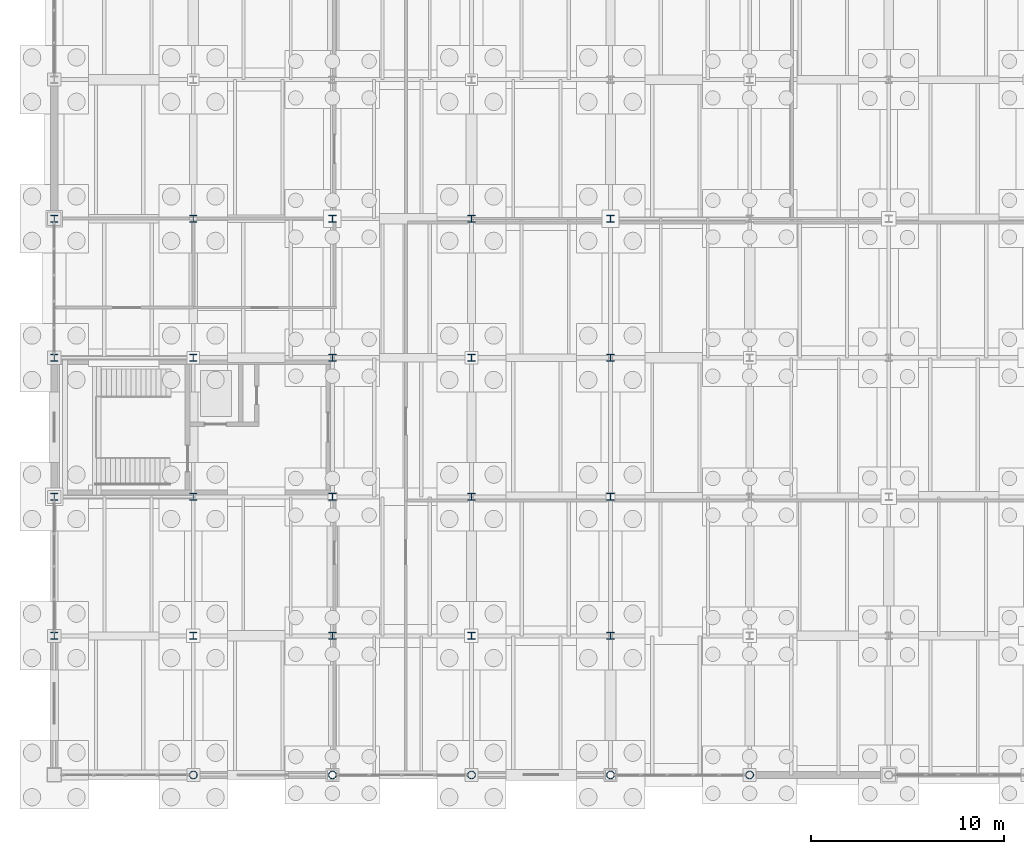
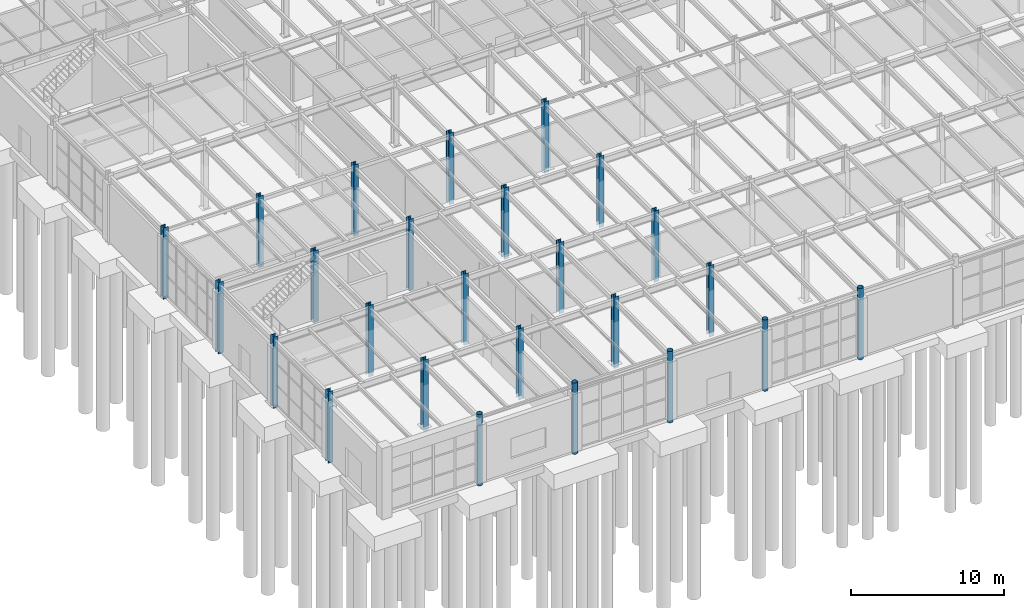
# One storey, part 15 of 293: 25 columns.
"""IFC4 building model written with IfcOpenShell, lengths in metres."""

from ifc_helpers import new_model, si_unit, direction, frame, origin, origin_2d, place, context, subcontext, project, spatial, hollow_circle, i_section, extrude, material, material_profile, profile_set, type_object, element, save


model = new_model("IFC4")

# Units and contexts
model_context = context("Model", 3, precision=1e-05, world=origin(), true_north=direction((0.0, 1.0)))
body_context = subcontext(model_context, "Body", "Model", "MODEL_VIEW")
ifc_project = project(units=[si_unit("LENGTHUNIT", "METRE"), si_unit("AREAUNIT", "SQUARE_METRE"), si_unit("VOLUMEUNIT", "CUBIC_METRE"), si_unit("PLANEANGLEUNIT", "RADIAN"), si_unit("MASSUNIT", "GRAM", prefix="KILO")], contexts=[model_context])

# Site, building, storey
site_placement = place(None, origin())
site = spatial("IfcSite", under=ifc_project, at=site_placement, CompositionType="ELEMENT")
building_placement = place(site_placement, origin())
building = spatial("IfcBuilding", under=site, at=building_placement, Name="Kemerveld Promenade Tramway Depot", CompositionType="ELEMENT")
storey_placement = place(building_placement, origin())
storey = spatial("IfcBuildingStorey", under=building, at=storey_placement, Name="L00", CompositionType="ELEMENT", Elevation=0.0)

# Columns
ifc_material = material(Name="Steel S355", Category="steel")
ifc_material_profile_1 = material_profile(ifc_material, i_section(OverallWidth=0.37255859375, OverallDepth=0.3681640625, WebThickness=0.014404296875, FlangeThickness=0.023681640625, FilletRadius=0.01513671875, at=origin_2d()), Name="356x368x177 UC")
ifc_profile_set_1 = profile_set([ifc_material_profile_1], Name="Steel S355")
column_type_1 = type_object("IfcColumnType", Name="COL-S03", PredefinedType="COLUMN", material=ifc_profile_set_1)
for number, where, z_axis, x_axis, name in (
    (1, (0.0, 7.199951171875, -0.300048828125), (0.0, 0.0, 1.0), (1.0, 0.0, 0.0), "COL-L00-01-B"),
    (2, (0.0, 14.39990234375, -0.300048828125), (0.0, 0.0, 1.0), (1.0, 0.0, 0.0), "COL-L00-01-C"),
    (3, (0.0, 21.60009765625, -0.300048828125), (0.0, 0.0, 1.0), (1.0, 0.0, 0.0), "COL-L00-01-D"),
    (4, (0.0, 28.800048828125, -0.300048828125), (0.0, 0.0, 1.0), (1.0, 0.0, 0.0), "COL-L00-01-E"),
    (5, (7.199951171875, 7.199951171875, -0.300048828125), (0.0, 0.0, 1.0), (1.0, 0.0, 0.0), "COL-L00-02-B"),
    (6, (7.199951171875, 14.39990234375, -0.300048828125), (0.0, 0.0, 1.0), (1.0, 0.0, 0.0), "COL-L00-02-C"),
    (7, (7.199951171875, 21.60009765625, -0.300048828125), (0.0, 0.0, 1.0), (1.0, 0.0, 0.0), "COL-L00-02-D"),
    (8, (7.199951171875, 28.800048828125, -0.300048828125), (0.0, 0.0, 1.0), (1.0, 0.0, 0.0), "COL-L00-02-E"),
    (9, (14.39990234375, 7.199951171875, -0.300048828125), (0.0, 0.0, 1.0), (1.0, 0.0, 0.0), "COL-L00-03-B"),
    (10, (14.39990234375, 14.39990234375, -0.300048828125), (0.0, 0.0, 1.0), (1.0, 0.0, 0.0), "COL-L00-03-C"),
    (11, (14.39990234375, 21.60009765625, -0.300048828125), (0.0, 0.0, 1.0), (1.0, 0.0, 0.0), "COL-L00-03-D"),
    (12, (14.39990234375, 28.800048828125, -0.300048828125), (0.0, 0.0, 1.0), (1.0, 0.0, 0.0), "COL-L00-03-E"),
    (13, (21.60009765625, 7.199951171875, -0.300048828125), (0.0, 0.0, 1.0), (1.0, 0.0, 0.0), "COL-L00-04-B"),
    (14, (21.60009765625, 14.39990234375, -0.300048828125), (0.0, 0.0, 1.0), (1.0, 0.0, 0.0), "COL-L00-04-C"),
    (15, (21.60009765625, 21.60009765625, -0.300048828125), (0.0, 0.0, 1.0), (1.0, 0.0, 0.0), "COL-L00-04-D"),
    (16, (21.60009765625, 28.800048828125, -0.300048828125), (0.0, 0.0, 1.0), (1.0, 0.0, 0.0), "COL-L00-04-E"),
    (17, (28.800048828125, 7.199951171875, -0.300048828125), (0.0, 0.0, 1.0), (1.0, 0.0, 0.0), "COL-L00-05-B"),
    (18, (28.800048828125, 14.39990234375, -0.300048828125), (0.0, 0.0, 1.0), (1.0, 0.0, 0.0), "COL-L00-05-C"),
    (19, (28.800048828125, 21.60009765625, -0.300048828125), (0.0, 0.0, 1.0), (1.0, 0.0, 0.0), "COL-L00-05-D"),
    (20, (28.800048828125, 28.800048828125, -0.300048828125), (0.0, 0.0, 1.0), (1.0, 0.0, 0.0), "COL-L00-05-E"),
):
    element("IfcColumn", number, at=place(storey_placement, frame(where, z_axis=z_axis, x_axis=x_axis)), inside=storey, type_object=column_type_1, Name=name, PredefinedType="COLUMN", context=body_context, shape_type="SweptSolid", body=[
        extrude(i_section(OverallWidth=0.37255859375, OverallDepth=0.3681640625, WebThickness=0.014404296875, FlangeThickness=0.023681640625, FilletRadius=0.01513671875, at=origin_2d()), origin(), (0.0, 0.0, 1.0), 5.699951171875),
    ])
ifc_material_profile_2 = material_profile(ifc_material, hollow_circle(Radius=0.203125, WallThickness=0.01611328125, at=origin_2d()), Name="406.4x16.0 CHS")
ifc_profile_set_2 = profile_set([ifc_material_profile_2], Name="Steel S355")
column_type_2 = type_object("IfcColumnType", Name="COL-S11", PredefinedType="COLUMN", material=ifc_profile_set_2)
for number, where, z_axis, x_axis, name in (
    (21, (7.199951171875, 0.0, -0.300048828125), (0.0, 0.0, 1.0), (1.0, 0.0, 0.0), "COL-L00-02-A"),
    (22, (14.39990234375, 0.0, -0.300048828125), (0.0, 0.0, 1.0), (1.0, 0.0, 0.0), "COL-L00-03-A"),
    (23, (21.60009765625, 0.0, -0.300048828125), (0.0, 0.0, 1.0), (1.0, 0.0, 0.0), "COL-L00-04-A"),
    (24, (28.800048828125, 0.0, -0.300048828125), (0.0, 0.0, 1.0), (1.0, 0.0, 0.0), "COL-L00-05-A"),
    (25, (36.0, 0.0, -0.300048828125), (0.0, 0.0, 1.0), (1.0, 0.0, 0.0), "COL-L00-06-A"),
):
    element("IfcColumn", number, at=place(storey_placement, frame(where, z_axis=z_axis, x_axis=x_axis)), inside=storey, type_object=column_type_2, Name=name, PredefinedType="COLUMN", context=body_context, shape_type="SweptSolid", body=[
        extrude(hollow_circle(Radius=0.203125, WallThickness=0.01611328125, at=origin_2d()), origin(), (0.0, 0.0, 1.0), 5.699951171875),
    ])

save(model, "model.ifc")
